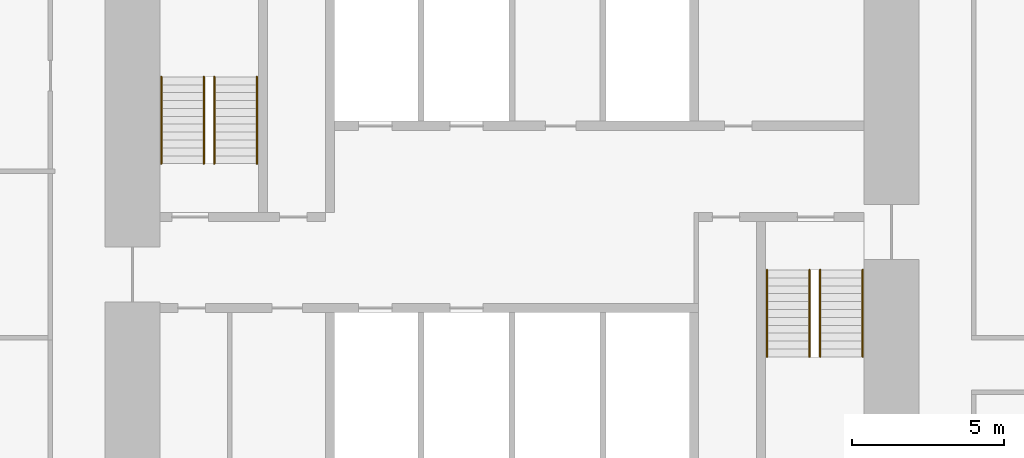
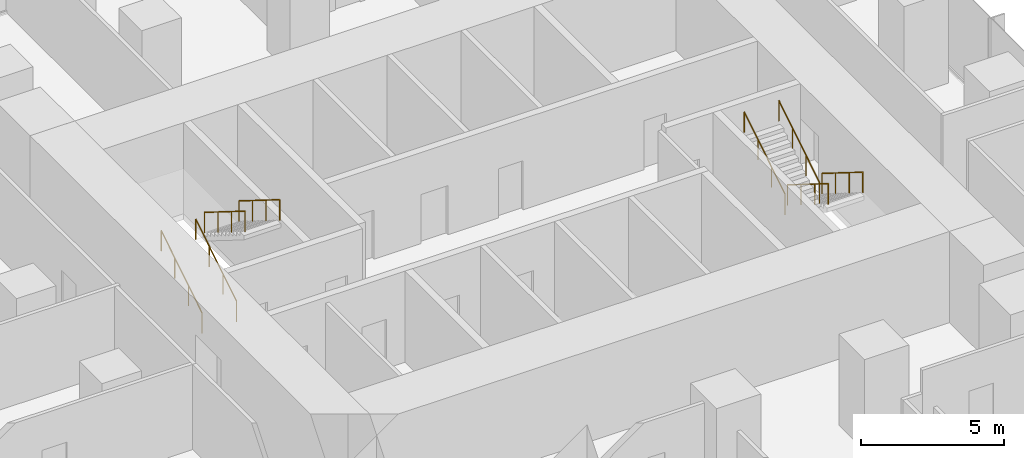
# One storey, part 11 of 11: 8 railings.
"""IFC4 building model written with IfcOpenShell, lengths in metres."""

from ifc_helpers import new_model, si_unit, direction, frame, origin, origin_2d, place, context, subcontext, project, spatial, circle, extrude, material, type_object, element, save


model = new_model("IFC4")

# Units and contexts
model_context = context("Model", 3, precision=1e-05, world=origin(), true_north=direction((0.0, 1.0)))
body_context = subcontext(model_context, "Body", "Model", "MODEL_VIEW")
ifc_project = project(units=[si_unit("LENGTHUNIT", "METRE"), si_unit("AREAUNIT", "SQUARE_METRE"), si_unit("VOLUMEUNIT", "CUBIC_METRE"), si_unit("PLANEANGLEUNIT", "RADIAN"), si_unit("MASSUNIT", "GRAM", prefix="KILO")], contexts=[model_context])

# Site, building, storey
site_placement = place(None, origin())
site = spatial("IfcSite", under=ifc_project, at=site_placement, CompositionType="ELEMENT")
building_placement = place(site_placement, origin())
building = spatial("IfcBuilding", under=site, at=building_placement, Name="Highveld Stack Headquarters", CompositionType="ELEMENT")
storey_placement = place(building_placement, frame((0.0, 0.0, 125.0)))
storey = spatial("IfcBuildingStorey", under=building, at=storey_placement, Name="L30", CompositionType="ELEMENT", Elevation=125.0)

# Railings
ifc_material = material(Name="Stainless steel handrail", Category="steel")
railing_type = type_object("IfcRailingType", Name="STAIR HANDRAIL HR1 900", PredefinedType="HANDRAIL", material=ifc_material)
for number, where, name in (
    (1, (-5.550048828125, 4.75, 0.16259765625), "Handrail S1 L30 flight 1"),
    (2, (-4.14990234375, 4.75, 0.16259765625), "Handrail S1 L30 flight 1"),
):
    element("IfcRailing", number, at=place(storey_placement, frame(where)), inside=storey, type_object=railing_type, Name=name, PredefinedType="HANDRAIL", context=body_context, shape_type="SweptSolid", body=[
        extrude(circle(Radius=0.02392578125, at=origin_2d()), frame((0.0, 0.0, 0.8759765625), z_axis=(0.0, 0.848026770018, 0.529953391661), x_axis=(-1.0, 0.0, 0.0)), (0.0, 0.0, 1.0), 3.37255859375),
        extrude(circle(Radius=0.02099609375, at=origin_2d()), origin(), (0.0, 0.0, 1.0), 0.851806640625),
        extrude(circle(Radius=0.02099609375, at=origin_2d()), frame((0.0, 0.953369140625, 0.595703125)), (0.0, 0.0, 1.0), 0.851806640625),
        extrude(circle(Radius=0.02099609375, at=origin_2d()), frame((0.0, 1.90673828125, 1.191650390625)), (0.0, 0.0, 1.0), 0.851806640625),
        extrude(circle(Radius=0.02099609375, at=origin_2d()), frame((0.0, 2.860107421875, 1.787353515625)), (0.0, 0.0, 1.0), 0.851806640625),
    ])
for number, where, name in (
    (3, (-3.800048828125, 7.610107421875, 2.112548828125), "Handrail S1 L30 flight 2"),
    (4, (-2.39990234375, 7.610107421875, 2.112548828125), "Handrail S1 L30 flight 2"),
    (5, (16.14990234375, 1.25, 0.16259765625), "Handrail S2 L30 flight 1"),
    (6, (17.550048828125, 1.25, 0.16259765625), "Handrail S2 L30 flight 1"),
):
    element("IfcRailing", number, at=place(storey_placement, frame(where)), inside=storey, type_object=railing_type, Name=name, PredefinedType="HANDRAIL", context=body_context, shape_type="SweptSolid", body=[
        extrude(circle(Radius=0.02392578125, at=origin_2d()), frame((0.0, 0.0, 0.8759765625), z_axis=(0.0, -0.848026770018, 0.529953391661), x_axis=(1.0, 0.0, 0.0)), (0.0, 0.0, 1.0), 3.37255859375),
        extrude(circle(Radius=0.02099609375, at=origin_2d()), origin(), (0.0, 0.0, 1.0), 0.851806640625),
        extrude(circle(Radius=0.02099609375, at=origin_2d()), frame((0.0, -0.953369140625, 0.595703125)), (0.0, 0.0, 1.0), 0.851806640625),
        extrude(circle(Radius=0.02099609375, at=origin_2d()), frame((0.0, -1.90673828125, 1.191650390625)), (0.0, 0.0, 1.0), 0.851806640625),
        extrude(circle(Radius=0.02099609375, at=origin_2d()), frame((0.0, -2.860107421875, 1.787353515625)), (0.0, 0.0, 1.0), 0.851806640625),
    ])
for number, where, name in (
    (7, (14.39990234375, -1.610107421875, 2.112548828125), "Handrail S2 L30 flight 2"),
    (8, (15.800048828125, -1.610107421875, 2.112548828125), "Handrail S2 L30 flight 2"),
):
    element("IfcRailing", number, at=place(storey_placement, frame(where)), inside=storey, type_object=railing_type, Name=name, PredefinedType="HANDRAIL", context=body_context, shape_type="SweptSolid", body=[
        extrude(circle(Radius=0.02392578125, at=origin_2d()), frame((0.0, 0.0, 0.8759765625), z_axis=(0.0, 0.848026770018, 0.529953391661), x_axis=(-1.0, 0.0, 0.0)), (0.0, 0.0, 1.0), 3.37255859375),
        extrude(circle(Radius=0.02099609375, at=origin_2d()), origin(), (0.0, 0.0, 1.0), 0.851806640625),
        extrude(circle(Radius=0.02099609375, at=origin_2d()), frame((0.0, 0.953369140625, 0.595703125)), (0.0, 0.0, 1.0), 0.851806640625),
        extrude(circle(Radius=0.02099609375, at=origin_2d()), frame((0.0, 1.90673828125, 1.191650390625)), (0.0, 0.0, 1.0), 0.851806640625),
        extrude(circle(Radius=0.02099609375, at=origin_2d()), frame((0.0, 2.860107421875, 1.787353515625)), (0.0, 0.0, 1.0), 0.851806640625),
    ])

save(model, "model.ifc")
